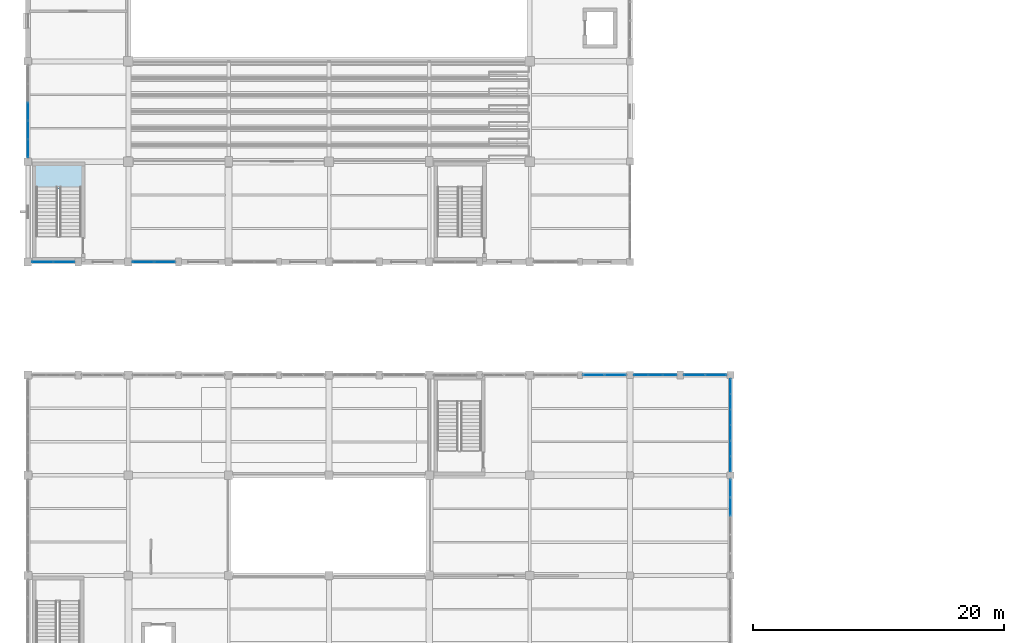
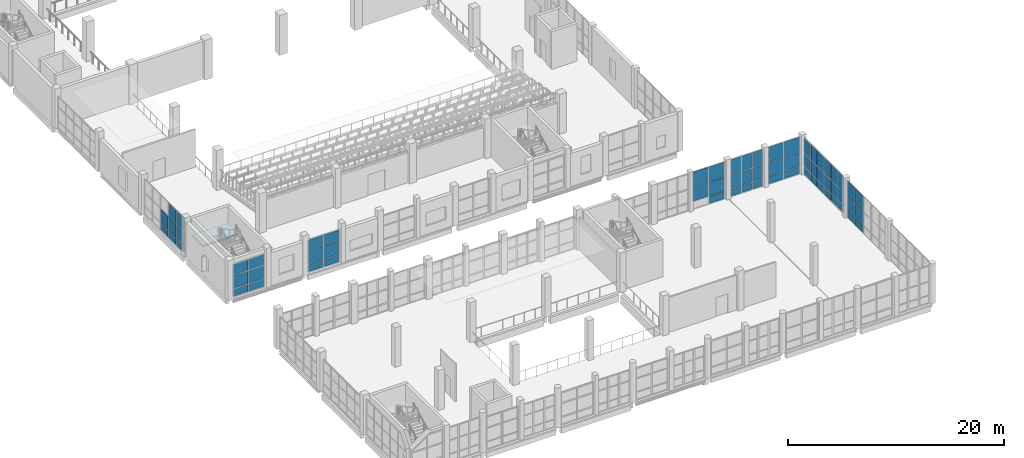
# One storey, part 119 of 183: 64 plates, 1 slab, 9 elements without a shape of their own.
"""IFC4 building model written with IfcOpenShell, lengths in metres."""

import ifcopenshell
import ifcopenshell.guid

model = None  # the IFC model being written
_history = None  # IfcOwnerHistory: only IFC2X3 demands one
_inside = {}  # id of a spatial element -> (the spatial element, [elements in it])
_under = {}  # id of a project, library or spatial element -> (it, [spatial elements below it])
_declared = {}  # id of a project -> (the project, [libraries it declares])
_typed = {}  # id of a type object -> (the type object, [elements of that type])
_made_of = {}  # id of a material, layer set ... -> (it, [elements and type objects made of it])


def new_model(schema):
    """Start an empty IFC model of exactly this schema.

    Asked for "IFC4X3", IfcOpenShell would pick the latest addendum, in which some entities
    have other attributes; the version numbers below select the first issue.
    IFC2X3 requires an IfcOwnerHistory on every rooted entity: one is made here for all.
    """
    global model, _history
    if schema == "IFC4X3":
        model = ifcopenshell.file(schema_version=(4, 3, 0, 0))
    else:
        model = ifcopenshell.file(schema=schema)
    _inside.clear()
    _under.clear()
    _declared.clear()
    _typed.clear()
    _made_of.clear()
    _history = None
    if model.schema == "IFC2X3":
        org = make("IfcOrganization", Name="unknown")
        user = make(
            "IfcPersonAndOrganization",
            ThePerson=make("IfcPerson", FamilyName="unknown"),
            TheOrganization=org,
        )
        app = make(
            "IfcApplication",
            ApplicationDeveloper=org,
            Version="unknown",
            ApplicationFullName="unknown",
            ApplicationIdentifier="unknown",
        )
        _history = make(
            "IfcOwnerHistory",
            OwningUser=user,
            OwningApplication=app,
            ChangeAction="ADDED",
            CreationDate=0,
        )
    return model


def make(cls, **values):
    """One entity of the class cls with the attributes given. An attribute that is None is left unset."""
    return model.create_entity(
        cls, **{name: value for name, value in values.items() if value is not None}
    )


def rooted(cls, **values):
    """An entity with a GlobalId (a new one), such as an element, a storey or a relation."""
    return make(cls, GlobalId=ifcopenshell.guid.new(), OwnerHistory=_history, **values)


def si_unit(unit_type, name, prefix=None):
    """IfcSIUnit, for example si_unit("LENGTHUNIT", "METRE", prefix="MILLI")."""
    return make("IfcSIUnit", UnitType=unit_type, Prefix=prefix, Name=name)


def assignment(units):
    """IfcUnitAssignment: the units of a project."""
    return None if units is None else make("IfcUnitAssignment", Units=units)


def point(xyz):
    """IfcCartesianPoint."""
    return None if xyz is None else make("IfcCartesianPoint", Coordinates=xyz)


def direction(xyz):
    """IfcDirection."""
    return None if xyz is None else make("IfcDirection", DirectionRatios=xyz)


def frame(location, z_axis=None, x_axis=None):
    """IfcAxis2Placement3D, a coordinate frame: its origin and axes. An axis left out is left unset."""
    return make(
        "IfcAxis2Placement3D",
        Location=point(location),
        Axis=direction(z_axis),
        RefDirection=direction(x_axis),
    )


def frame_2d(location, x_axis=None):
    """IfcAxis2Placement2D, a coordinate frame in the plane: its origin and x axis."""
    return make(
        "IfcAxis2Placement2D", Location=point(location), RefDirection=direction(x_axis)
    )


def origin():
    """The frame at (0, 0, 0) with its axes left unset."""
    return frame((0.0, 0.0, 0.0))


def origin_2d():
    """The frame at (0, 0) in the plane with its x axis left unset."""
    return frame_2d((0.0, 0.0))


def place(relative_to, where):
    """IfcLocalPlacement: puts the frame where relative to a parent placement (None: the world)."""
    return make(
        "IfcLocalPlacement", PlacementRelTo=relative_to, RelativePlacement=where
    )


def context(
    kind, dimensions, precision=None, world=None, true_north=None, identifier=None
):
    """IfcGeometricRepresentationContext, for example the 3D "Model" context."""
    return make(
        "IfcGeometricRepresentationContext",
        ContextIdentifier=identifier,
        ContextType=kind,
        CoordinateSpaceDimension=dimensions,
        Precision=precision,
        WorldCoordinateSystem=world,
        TrueNorth=true_north,
    )


def subcontext(parent, identifier, kind, view, scale=None):
    """IfcGeometricRepresentationSubContext, for example "Body" below "Model"."""
    return make(
        "IfcGeometricRepresentationSubContext",
        ContextIdentifier=identifier,
        ContextType=kind,
        ParentContext=parent,
        TargetScale=scale,
        TargetView=view,
    )


def project(units=None, contexts=None):
    """IfcProject with its units and contexts."""
    return rooted(
        "IfcProject",
        Name="project",
        RepresentationContexts=contexts,
        UnitsInContext=assignment(units),
    )


def spatial(cls, under=None, at=None, **own):
    """A site, building, storey or space (cls), placed at a placement, below another one or the project."""
    s = rooted(cls, ObjectPlacement=at, **own)
    if under is not None:
        _under.setdefault(under.id(), (under, []))[1].append(s)
    return s


def polyline(points):
    """IfcPolyline through the points."""
    return make("IfcPolyline", Points=[point(p) for p in points])


def profile(cls, at=None, kind="AREA", **sizes):
    """A parametric profile (cls). Its sizes go by their IFC names, for example OverallWidth=200.0."""
    return make(cls, ProfileType=kind, Position=at, **sizes)


def rectangle(**sizes):
    """IfcRectangleProfileDef."""
    return profile("IfcRectangleProfileDef", **sizes)


def outline(outer, holes=None, kind="AREA"):
    """IfcArbitraryClosedProfileDef: a profile drawn as a closed curve; with holes, ...WithVoids."""
    if holes is None:
        return make("IfcArbitraryClosedProfileDef", ProfileType=kind, OuterCurve=outer)
    return make(
        "IfcArbitraryProfileDefWithVoids",
        ProfileType=kind,
        OuterCurve=outer,
        InnerCurves=holes,
    )


def extrude(swept, where, along, depth):
    """IfcExtrudedAreaSolid: the profile swept, set in the frame where, extruded along a direction by depth."""
    return make(
        "IfcExtrudedAreaSolid",
        SweptArea=swept,
        Position=where,
        ExtrudedDirection=direction(along),
        Depth=depth,
    )


def shape(context_of_items, identifier, shape_type, items):
    """IfcShapeRepresentation: the items that make up one representation, for example the "Body"."""
    return make(
        "IfcShapeRepresentation",
        ContextOfItems=context_of_items,
        RepresentationIdentifier=identifier,
        RepresentationType=shape_type,
        Items=items,
    )


def material(Name=None, Category=None):
    """IfcMaterial."""
    return make("IfcMaterial", Name=Name, Category=Category)


def layer(
    of_material, thickness, ventilated=None, Name=None, Category=None, Priority=None
):
    """IfcMaterialLayer: one layer of a wall or slab, of a material (None: an air gap)."""
    return make(
        "IfcMaterialLayer",
        Material=of_material,
        LayerThickness=thickness,
        IsVentilated=ventilated,
        Name=Name,
        Category=Category,
        Priority=Priority,
    )


def layer_set(layers, Name=None):
    """IfcMaterialLayerSet."""
    return make("IfcMaterialLayerSet", MaterialLayers=layers, LayerSetName=Name)


def made_of(thing, what):
    """Note that an element or type object is made of a material, layer set ...; save() writes the relation."""
    if what is not None:
        _made_of.setdefault(what.id(), (what, []))[1].append(thing)
    return thing


def type_object(cls, material=None, **own):
    """A type object (cls), such as IfcWallType, which elements share."""
    return made_of(rooted(cls, **own), material)


def element(
    cls,
    number,
    at=None,
    inside=None,
    cuts=None,
    type_object=None,
    material=None,
    context=None,
    identifier="Body",
    shape_type=None,
    held_by="IfcProductDefinitionShape",
    body=None,
    shapes=None,
    **own,
):
    """One element of the class cls, such as IfcWall. Its Tag is "e" and its number.

    at: its placement. inside: the storey or other place that contains it. cuts: it is an
    opening in that element (IfcRelVoidsElement). A single representation is given by context,
    identifier, shape_type and body (its items); several are given by shapes. held_by: the class
    of the entity that holds the representations. save() writes the other relations.
    """
    e = rooted(cls, Tag="e%d" % number, ObjectPlacement=at, **own)
    if body is not None:
        shapes = [shape(context, identifier, shape_type, body)]
    if shapes is not None:
        e.Representation = make(held_by, Representations=shapes)
    if inside is not None:
        _inside.setdefault(inside.id(), (inside, []))[1].append(e)
    if cuts is not None:
        rooted(
            "IfcRelVoidsElement", RelatingBuildingElement=cuts, RelatedOpeningElement=e
        )
    if type_object is not None:
        _typed.setdefault(type_object.id(), (type_object, []))[1].append(e)
    return made_of(e, material)


def aggregate(whole, parts):
    """IfcRelAggregates: a whole, such as a stair, and the parts it consists of."""
    return rooted("IfcRelAggregates", RelatingObject=whole, RelatedObjects=parts)


def save(model, path):
    """Write the relations noted so far, then the file.

    IfcRelAggregates (storeys below a building ...), IfcRelContainedInSpatialStructure (elements
    in a storey), IfcRelDefinesByType, IfcRelAssociatesMaterial and IfcRelDeclares: one each for
    every whole, place, type object, material and project.
    """
    for whole, parts in _under.values():
        aggregate(whole, parts)
    for where, things in _inside.values():
        rooted(
            "IfcRelContainedInSpatialStructure",
            RelatedElements=things,
            RelatingStructure=where,
        )
    for kind, things in _typed.values():
        rooted("IfcRelDefinesByType", RelatedObjects=things, RelatingType=kind)
    for what, things in _made_of.values():
        rooted("IfcRelAssociatesMaterial", RelatedObjects=things, RelatingMaterial=what)
    for by, libraries in _declared.values():
        rooted("IfcRelDeclares", RelatingContext=by, RelatedDefinitions=libraries)
    model.write(path)


model = new_model("IFC4")

# Units and contexts
model_context = context("Model", 3, precision=1e-05, world=origin(), true_north=direction((0.0, 1.0)))
body_context = subcontext(model_context, "Body", "Model", "MODEL_VIEW")
ifc_project = project(units=[si_unit("LENGTHUNIT", "METRE"), si_unit("AREAUNIT", "SQUARE_METRE"), si_unit("VOLUMEUNIT", "CUBIC_METRE"), si_unit("PLANEANGLEUNIT", "RADIAN"), si_unit("MASSUNIT", "GRAM", prefix="KILO")], contexts=[model_context])

# Site, building, storey
site_placement = place(None, origin())
site = spatial("IfcSite", under=ifc_project, at=site_placement, CompositionType="ELEMENT")
building_placement = place(site_placement, origin())
building = spatial("IfcBuilding", under=site, at=building_placement, Name="Luwemba Playhouse", CompositionType="ELEMENT")
storey_placement = place(building_placement, frame((0.0, 0.0, 4.800048828125)))
storey = spatial("IfcBuildingStorey", under=building, at=storey_placement, Name="L01", CompositionType="ELEMENT", Elevation=4.800048828125)

# Curtain wall, plates
ifc_material_1 = material(Name="Solar-control double glazing", Category="glass")
curtain_wall_type_1 = type_object("IfcCurtainWallType", Name="CW-CW103", PredefinedType="USERDEFINED", material=ifc_material_1)
curtain_wall_1_placement = place(storey_placement, origin())
curtain_wall_1 = element("IfcCurtainWall", 1, at=curtain_wall_1_placement, inside=storey, type_object=curtain_wall_type_1, Name="L01 V5W unitised curtain wall 134", ObjectType="UNITISED GLAZING", PredefinedType="USERDEFINED")
ifc_layer_1 = layer(ifc_material_1, 0.02392578125)
ifc_layer_set_1 = layer_set([ifc_layer_1], Name="Solar-control double glazing")
plate_type_1 = type_object("IfcPlateType", Name="CWP-P1", PredefinedType="CURTAIN_PANEL", material=ifc_layer_set_1)
plate_1_placement = place(storey_placement, frame((52.869140625, 27.0, 0.059814453125), z_axis=(0.0, 0.0, 1.0), x_axis=(1.0, 0.0, 0.0)))
plate_1 = element("IfcPlate", 2, at=plate_1_placement, type_object=plate_type_1, Name="CW103 panel 1.1", PredefinedType="CURTAIN_PANEL", context=body_context, shape_type="SweptSolid", body=[
    extrude(rectangle(XDim=1.068359375, YDim=0.02392578125, at=origin_2d()), origin(), (0.0, 0.0, 1.0), 0.81005859375),
])
plate_2_placement = place(storey_placement, frame((52.869140625, 27.0, 0.93017578125), z_axis=(0.0, 0.0, 1.0), x_axis=(1.0, 0.0, 0.0)))
plate_2 = element("IfcPlate", 3, at=plate_2_placement, type_object=plate_type_1, Name="CW103 panel 1.2", PredefinedType="CURTAIN_PANEL", context=body_context, shape_type="SweptSolid", body=[
    extrude(rectangle(XDim=1.068359375, YDim=0.02392578125, at=origin_2d()), origin(), (0.0, 0.0, 1.0), 1.489990234375),
])
plate_3_placement = place(storey_placement, frame((52.869140625, 27.0, 2.47998046875), z_axis=(0.0, 0.0, 1.0), x_axis=(1.0, 0.0, 0.0)))
plate_3 = element("IfcPlate", 4, at=plate_3_placement, type_object=plate_type_1, Name="CW103 panel 1.3", PredefinedType="CURTAIN_PANEL", context=body_context, shape_type="SweptSolid", body=[
    extrude(rectangle(XDim=1.068359375, YDim=0.02392578125, at=origin_2d()), origin(), (0.0, 0.0, 1.0), 1.7099609375),
])
plate_4_placement = place(storey_placement, frame((54.012451171875, 27.0, 0.059814453125), z_axis=(0.0, 0.0, 1.0), x_axis=(1.0, 0.0, 0.0)))
plate_4 = element("IfcPlate", 5, at=plate_4_placement, type_object=plate_type_1, Name="CW103 panel 2.1", PredefinedType="CURTAIN_PANEL", context=body_context, shape_type="SweptSolid", body=[
    extrude(rectangle(XDim=1.098388671875, YDim=0.02392578125, at=origin_2d()), origin(), (0.0, 0.0, 1.0), 0.81005859375),
])
plate_5_placement = place(storey_placement, frame((54.012451171875, 27.0, 0.93017578125), z_axis=(0.0, 0.0, 1.0), x_axis=(1.0, 0.0, 0.0)))
plate_5 = element("IfcPlate", 6, at=plate_5_placement, type_object=plate_type_1, Name="CW103 panel 2.2", PredefinedType="CURTAIN_PANEL", context=body_context, shape_type="SweptSolid", body=[
    extrude(rectangle(XDim=1.098388671875, YDim=0.02392578125, at=origin_2d()), origin(), (0.0, 0.0, 1.0), 1.489990234375),
])
plate_6_placement = place(storey_placement, frame((54.012451171875, 27.0, 2.47998046875), z_axis=(0.0, 0.0, 1.0), x_axis=(1.0, 0.0, 0.0)))
plate_6 = element("IfcPlate", 7, at=plate_6_placement, type_object=plate_type_1, Name="CW103 panel 2.3", PredefinedType="CURTAIN_PANEL", context=body_context, shape_type="SweptSolid", body=[
    extrude(rectangle(XDim=1.098388671875, YDim=0.02392578125, at=origin_2d()), origin(), (0.0, 0.0, 1.0), 1.7099609375),
])
plate_7_placement = place(storey_placement, frame((55.15576171875, 27.0, 0.059814453125), z_axis=(0.0, 0.0, 1.0), x_axis=(1.0, 0.0, 0.0)))
plate_7 = element("IfcPlate", 8, at=plate_7_placement, type_object=plate_type_1, Name="CW103 panel 3.1", PredefinedType="CURTAIN_PANEL", context=body_context, shape_type="SweptSolid", body=[
    extrude(rectangle(XDim=1.068359375, YDim=0.02392578125, at=origin_2d()), origin(), (0.0, 0.0, 1.0), 0.81005859375),
])
plate_8_placement = place(storey_placement, frame((55.15576171875, 27.0, 0.93017578125), z_axis=(0.0, 0.0, 1.0), x_axis=(1.0, 0.0, 0.0)))
plate_8 = element("IfcPlate", 9, at=plate_8_placement, type_object=plate_type_1, Name="CW103 panel 3.2", PredefinedType="CURTAIN_PANEL", context=body_context, shape_type="SweptSolid", body=[
    extrude(rectangle(XDim=1.068359375, YDim=0.02392578125, at=origin_2d()), origin(), (0.0, 0.0, 1.0), 1.489990234375),
])
plate_9_placement = place(storey_placement, frame((55.15576171875, 27.0, 2.47998046875), z_axis=(0.0, 0.0, 1.0), x_axis=(1.0, 0.0, 0.0)))
plate_9 = element("IfcPlate", 10, at=plate_9_placement, type_object=plate_type_1, Name="CW103 panel 3.3", PredefinedType="CURTAIN_PANEL", context=body_context, shape_type="SweptSolid", body=[
    extrude(rectangle(XDim=1.068359375, YDim=0.02392578125, at=origin_2d()), origin(), (0.0, 0.0, 1.0), 1.7099609375),
])
aggregate(curtain_wall_1, [plate_1, plate_2, plate_3, plate_4, plate_5, plate_6, plate_7, plate_8, plate_9])

curtain_wall_type_2 = type_object("IfcCurtainWallType", Name="CW-CW71", PredefinedType="USERDEFINED", material=ifc_material_1)
curtain_wall_2_placement = place(storey_placement, origin())
curtain_wall_2 = element("IfcCurtainWall", 11, at=curtain_wall_2_placement, inside=storey, type_object=curtain_wall_type_2, Name="L01 V1 unitised curtain wall 095", ObjectType="UNITISED GLAZING", PredefinedType="USERDEFINED")
ifc_layer_2 = layer(ifc_material_1, 0.028076171875)
ifc_layer_set_2 = layer_set([ifc_layer_2], Name="Solar-control double glazing")
plate_type_2 = type_object("IfcPlateType", Name="CWP-P2", PredefinedType="CURTAIN_PANEL", material=ifc_layer_set_2)
plate_10_placement = place(storey_placement, frame((4.0, 45.05615234375, 0.054931640625), z_axis=(0.0, 0.0, 1.0), x_axis=(0.0, 1.0, 0.0)))
plate_10 = element("IfcPlate", 12, at=plate_10_placement, type_object=plate_type_2, Name="CW71 panel 1.1", PredefinedType="CURTAIN_PANEL", context=body_context, shape_type="SweptSolid", body=[
    extrude(rectangle(XDim=1.382568359375, YDim=0.028076171875, at=origin_2d()), origin(), (0.0, 0.0, 1.0), 0.8173828125),
])
plate_11_placement = place(storey_placement, frame((4.0, 45.05615234375, 0.927490234375), z_axis=(0.0, 0.0, 1.0), x_axis=(0.0, 1.0, 0.0)))
plate_11 = element("IfcPlate", 13, at=plate_11_placement, type_object=plate_type_2, Name="CW71 panel 1.2", PredefinedType="CURTAIN_PANEL", context=body_context, shape_type="SweptSolid", body=[
    extrude(rectangle(XDim=1.382568359375, YDim=0.028076171875, at=origin_2d()), origin(), (0.0, 0.0, 1.0), 1.4951171875),
])
plate_12_placement = place(storey_placement, frame((4.0, 45.05615234375, 2.4775390625), z_axis=(0.0, 0.0, 1.0), x_axis=(0.0, 1.0, 0.0)))
plate_12 = element("IfcPlate", 14, at=plate_12_placement, type_object=plate_type_2, Name="CW71 panel 1.3", PredefinedType="CURTAIN_PANEL", context=body_context, shape_type="SweptSolid", body=[
    extrude(rectangle(XDim=1.382568359375, YDim=0.028076171875, at=origin_2d()), origin(), (0.0, 0.0, 1.0), 1.50244140625),
])
plate_13_placement = place(storey_placement, frame((4.0, 46.52001953125, 0.054931640625), z_axis=(0.0, 0.0, 1.0), x_axis=(0.0, 1.0, 0.0)))
plate_13 = element("IfcPlate", 15, at=plate_13_placement, type_object=plate_type_2, Name="CW71 panel 2.1", PredefinedType="CURTAIN_PANEL", context=body_context, shape_type="SweptSolid", body=[
    extrude(rectangle(XDim=1.4150390625, YDim=0.028076171875, at=origin_2d()), origin(), (0.0, 0.0, 1.0), 0.8173828125),
])
plate_14_placement = place(storey_placement, frame((4.0, 46.52001953125, 0.927490234375), z_axis=(0.0, 0.0, 1.0), x_axis=(0.0, 1.0, 0.0)))
plate_14 = element("IfcPlate", 16, at=plate_14_placement, type_object=plate_type_2, Name="CW71 panel 2.2", PredefinedType="CURTAIN_PANEL", context=body_context, shape_type="SweptSolid", body=[
    extrude(rectangle(XDim=1.4150390625, YDim=0.028076171875, at=origin_2d()), origin(), (0.0, 0.0, 1.0), 1.4951171875),
])
plate_15_placement = place(storey_placement, frame((4.0, 46.52001953125, 2.4775390625), z_axis=(0.0, 0.0, 1.0), x_axis=(0.0, 1.0, 0.0)))
plate_15 = element("IfcPlate", 17, at=plate_15_placement, type_object=plate_type_2, Name="CW71 panel 2.3", PredefinedType="CURTAIN_PANEL", context=body_context, shape_type="SweptSolid", body=[
    extrude(rectangle(XDim=1.4150390625, YDim=0.028076171875, at=origin_2d()), origin(), (0.0, 0.0, 1.0), 1.50244140625),
])
plate_16_placement = place(storey_placement, frame((4.0, 48.0, 0.054931640625), z_axis=(0.0, 0.0, 1.0), x_axis=(0.0, 1.0, 0.0)))
plate_16 = element("IfcPlate", 18, at=plate_16_placement, type_object=plate_type_2, Name="CW71 panel 3.1", PredefinedType="CURTAIN_PANEL", context=body_context, shape_type="SweptSolid", body=[
    extrude(rectangle(XDim=1.4150390625, YDim=0.028076171875, at=origin_2d()), origin(), (0.0, 0.0, 1.0), 0.8173828125),
])
plate_17_placement = place(storey_placement, frame((4.0, 48.0, 0.927490234375), z_axis=(0.0, 0.0, 1.0), x_axis=(0.0, 1.0, 0.0)))
plate_17 = element("IfcPlate", 19, at=plate_17_placement, type_object=plate_type_2, Name="CW71 panel 3.2", PredefinedType="CURTAIN_PANEL", context=body_context, shape_type="SweptSolid", body=[
    extrude(rectangle(XDim=1.4150390625, YDim=0.028076171875, at=origin_2d()), origin(), (0.0, 0.0, 1.0), 1.4951171875),
])
aggregate(curtain_wall_2, [plate_10, plate_11, plate_12, plate_13, plate_14, plate_15, plate_16, plate_17])

curtain_wall_type_3 = type_object("IfcCurtainWallType", Name="CW-CW78", PredefinedType="USERDEFINED", material=ifc_material_1)
curtain_wall_3_placement = place(storey_placement, origin())
curtain_wall_3 = element("IfcCurtainWall", 20, at=curtain_wall_3_placement, inside=storey, type_object=curtain_wall_type_3, Name="L01 V1 unitised curtain wall 103", ObjectType="UNITISED GLAZING", PredefinedType="USERDEFINED")
plate_18_placement = place(storey_placement, frame((14.889892578125, 36.0, 0.054931640625), z_axis=(0.0, 0.0, 1.0), x_axis=(-1.0, 0.0, 0.0)))
plate_18 = element("IfcPlate", 21, at=plate_18_placement, type_object=plate_type_2, Name="CW78 panel 1.1", PredefinedType="CURTAIN_PANEL", context=body_context, shape_type="SweptSolid", body=[
    extrude(rectangle(XDim=1.639892578125, YDim=0.028076171875, at=origin_2d()), origin(), (0.0, 0.0, 1.0), 0.8173828125),
])
plate_19_placement = place(storey_placement, frame((14.889892578125, 36.0, 0.927490234375), z_axis=(0.0, 0.0, 1.0), x_axis=(-1.0, 0.0, 0.0)))
plate_19 = element("IfcPlate", 22, at=plate_19_placement, type_object=plate_type_2, Name="CW78 panel 1.2", PredefinedType="CURTAIN_PANEL", context=body_context, shape_type="SweptSolid", body=[
    extrude(rectangle(XDim=1.639892578125, YDim=0.028076171875, at=origin_2d()), origin(), (0.0, 0.0, 1.0), 1.4951171875),
])
plate_20_placement = place(storey_placement, frame((14.889892578125, 36.0, 2.4775390625), z_axis=(0.0, 0.0, 1.0), x_axis=(-1.0, 0.0, 0.0)))
plate_20 = element("IfcPlate", 23, at=plate_20_placement, type_object=plate_type_2, Name="CW78 panel 1.3", PredefinedType="CURTAIN_PANEL", context=body_context, shape_type="SweptSolid", body=[
    extrude(rectangle(XDim=1.639892578125, YDim=0.028076171875, at=origin_2d()), origin(), (0.0, 0.0, 1.0), 1.152587890625),
])
plate_21_placement = place(storey_placement, frame((13.18505859375, 36.0, 0.054931640625), z_axis=(0.0, 0.0, 1.0), x_axis=(-1.0, 0.0, 0.0)))
plate_21 = element("IfcPlate", 24, at=plate_21_placement, type_object=plate_type_2, Name="CW78 panel 2.1", PredefinedType="CURTAIN_PANEL", context=body_context, shape_type="SweptSolid", body=[
    extrude(rectangle(XDim=1.639892578125, YDim=0.028076171875, at=origin_2d()), origin(), (0.0, 0.0, 1.0), 0.8173828125),
])
plate_22_placement = place(storey_placement, frame((13.18505859375, 36.0, 0.927490234375), z_axis=(0.0, 0.0, 1.0), x_axis=(-1.0, 0.0, 0.0)))
plate_22 = element("IfcPlate", 25, at=plate_22_placement, type_object=plate_type_2, Name="CW78 panel 2.2", PredefinedType="CURTAIN_PANEL", context=body_context, shape_type="SweptSolid", body=[
    extrude(rectangle(XDim=1.639892578125, YDim=0.028076171875, at=origin_2d()), origin(), (0.0, 0.0, 1.0), 1.4951171875),
])
plate_23_placement = place(storey_placement, frame((13.18505859375, 36.0, 2.4775390625), z_axis=(0.0, 0.0, 1.0), x_axis=(-1.0, 0.0, 0.0)))
plate_23 = element("IfcPlate", 26, at=plate_23_placement, type_object=plate_type_2, Name="CW78 panel 2.3", PredefinedType="CURTAIN_PANEL", context=body_context, shape_type="SweptSolid", body=[
    extrude(rectangle(XDim=1.639892578125, YDim=0.028076171875, at=origin_2d()), origin(), (0.0, 0.0, 1.0), 1.152587890625),
])
aggregate(curtain_wall_3, [plate_18, plate_19, plate_20, plate_21, plate_22, plate_23])

curtain_wall_type_4 = type_object("IfcCurtainWallType", Name="CW-CW104", PredefinedType="USERDEFINED", material=ifc_material_1)
curtain_wall_4_placement = place(storey_placement, origin())
curtain_wall_4 = element("IfcCurtainWall", 27, at=curtain_wall_4_placement, inside=storey, type_object=curtain_wall_type_4, Name="L01 V5W unitised curtain wall 135", ObjectType="UNITISED GLAZING", PredefinedType="USERDEFINED")
plate_24_placement = place(storey_placement, frame((57.135009765625, 27.0, 0.054931640625), z_axis=(0.0, 0.0, 1.0), x_axis=(1.0, 0.0, 0.0)))
plate_24 = element("IfcPlate", 28, at=plate_24_placement, type_object=plate_type_2, Name="CW104 panel 1.1", PredefinedType="CURTAIN_PANEL", context=body_context, shape_type="SweptSolid", body=[
    extrude(rectangle(XDim=1.639892578125, YDim=0.028076171875, at=origin_2d()), origin(), (0.0, 0.0, 1.0), 0.8173828125),
])
plate_25_placement = place(storey_placement, frame((57.135009765625, 27.0, 0.927490234375), z_axis=(0.0, 0.0, 1.0), x_axis=(1.0, 0.0, 0.0)))
plate_25 = element("IfcPlate", 29, at=plate_25_placement, type_object=plate_type_2, Name="CW104 panel 1.2", PredefinedType="CURTAIN_PANEL", context=body_context, shape_type="SweptSolid", body=[
    extrude(rectangle(XDim=1.639892578125, YDim=0.028076171875, at=origin_2d()), origin(), (0.0, 0.0, 1.0), 1.4951171875),
])
plate_26_placement = place(storey_placement, frame((57.135009765625, 27.0, 2.4775390625), z_axis=(0.0, 0.0, 1.0), x_axis=(1.0, 0.0, 0.0)))
plate_26 = element("IfcPlate", 30, at=plate_26_placement, type_object=plate_type_2, Name="CW104 panel 1.3", PredefinedType="CURTAIN_PANEL", context=body_context, shape_type="SweptSolid", body=[
    extrude(rectangle(XDim=1.639892578125, YDim=0.028076171875, at=origin_2d()), origin(), (0.0, 0.0, 1.0), 1.717529296875),
])
plate_27_placement = place(storey_placement, frame((58.840087890625, 27.0, 0.054931640625), z_axis=(0.0, 0.0, 1.0), x_axis=(1.0, 0.0, 0.0)))
plate_27 = element("IfcPlate", 31, at=plate_27_placement, type_object=plate_type_2, Name="CW104 panel 2.1", PredefinedType="CURTAIN_PANEL", context=body_context, shape_type="SweptSolid", body=[
    extrude(rectangle(XDim=1.639892578125, YDim=0.028076171875, at=origin_2d()), origin(), (0.0, 0.0, 1.0), 0.8173828125),
])
plate_28_placement = place(storey_placement, frame((58.840087890625, 27.0, 0.927490234375), z_axis=(0.0, 0.0, 1.0), x_axis=(1.0, 0.0, 0.0)))
plate_28 = element("IfcPlate", 32, at=plate_28_placement, type_object=plate_type_2, Name="CW104 panel 2.2", PredefinedType="CURTAIN_PANEL", context=body_context, shape_type="SweptSolid", body=[
    extrude(rectangle(XDim=1.639892578125, YDim=0.028076171875, at=origin_2d()), origin(), (0.0, 0.0, 1.0), 1.4951171875),
])
plate_29_placement = place(storey_placement, frame((58.840087890625, 27.0, 2.4775390625), z_axis=(0.0, 0.0, 1.0), x_axis=(1.0, 0.0, 0.0)))
plate_29 = element("IfcPlate", 33, at=plate_29_placement, type_object=plate_type_2, Name="CW104 panel 2.3", PredefinedType="CURTAIN_PANEL", context=body_context, shape_type="SweptSolid", body=[
    extrude(rectangle(XDim=1.639892578125, YDim=0.028076171875, at=origin_2d()), origin(), (0.0, 0.0, 1.0), 1.717529296875),
])
aggregate(curtain_wall_4, [plate_24, plate_25, plate_26, plate_27, plate_28, plate_29])

curtain_wall_type_5 = type_object("IfcCurtainWallType", Name="CW-CW79", PredefinedType="USERDEFINED", material=ifc_material_1)
curtain_wall_5_placement = place(storey_placement, origin())
curtain_wall_5 = element("IfcCurtainWall", 34, at=curtain_wall_5_placement, inside=storey, type_object=curtain_wall_type_5, Name="L01 V1 unitised curtain wall 104", ObjectType="UNITISED GLAZING", PredefinedType="USERDEFINED")
ifc_layer_3 = layer(ifc_material_1, 0.031982421875)
ifc_layer_set_3 = layer_set([ifc_layer_3], Name="Solar-control double glazing")
plate_type_3 = type_object("IfcPlateType", Name="CWP-P3", PredefinedType="CURTAIN_PANEL", material=ifc_layer_set_3)
plate_30_placement = place(storey_placement, frame((6.873779296875, 36.0, 0.06494140625), z_axis=(0.0, 0.0, 1.0), x_axis=(-1.0, 0.0, 0.0)))
plate_30 = element("IfcPlate", 35, at=plate_30_placement, type_object=plate_type_3, Name="CW79 panel 1.1", PredefinedType="CURTAIN_PANEL", context=body_context, shape_type="SweptSolid", body=[
    extrude(rectangle(XDim=1.642578125, YDim=0.031982421875, at=origin_2d()), origin(), (0.0, 0.0, 1.0), 0.802490234375),
])
plate_31_placement = place(storey_placement, frame((6.873779296875, 36.0, 0.9326171875), z_axis=(0.0, 0.0, 1.0), x_axis=(-1.0, 0.0, 0.0)))
plate_31 = element("IfcPlate", 36, at=plate_31_placement, type_object=plate_type_3, Name="CW79 panel 1.2", PredefinedType="CURTAIN_PANEL", context=body_context, shape_type="SweptSolid", body=[
    extrude(rectangle(XDim=1.642578125, YDim=0.031982421875, at=origin_2d()), origin(), (0.0, 0.0, 1.0), 1.485107421875),
])
plate_32_placement = place(storey_placement, frame((6.873779296875, 36.0, 2.482421875), z_axis=(0.0, 0.0, 1.0), x_axis=(-1.0, 0.0, 0.0)))
plate_32 = element("IfcPlate", 37, at=plate_32_placement, type_object=plate_type_3, Name="CW79 panel 1.3", PredefinedType="CURTAIN_PANEL", context=body_context, shape_type="SweptSolid", body=[
    extrude(rectangle(XDim=1.642578125, YDim=0.031982421875, at=origin_2d()), origin(), (0.0, 0.0, 1.0), 1.1875),
])
plate_33_placement = place(storey_placement, frame((5.17626953125, 36.0, 0.06494140625), z_axis=(0.0, 0.0, 1.0), x_axis=(-1.0, 0.0, 0.0)))
plate_33 = element("IfcPlate", 38, at=plate_33_placement, type_object=plate_type_3, Name="CW79 panel 2.1", PredefinedType="CURTAIN_PANEL", context=body_context, shape_type="SweptSolid", body=[
    extrude(rectangle(XDim=1.642578125, YDim=0.031982421875, at=origin_2d()), origin(), (0.0, 0.0, 1.0), 0.802490234375),
])
plate_34_placement = place(storey_placement, frame((5.17626953125, 36.0, 0.9326171875), z_axis=(0.0, 0.0, 1.0), x_axis=(-1.0, 0.0, 0.0)))
plate_34 = element("IfcPlate", 39, at=plate_34_placement, type_object=plate_type_3, Name="CW79 panel 2.2", PredefinedType="CURTAIN_PANEL", context=body_context, shape_type="SweptSolid", body=[
    extrude(rectangle(XDim=1.642578125, YDim=0.031982421875, at=origin_2d()), origin(), (0.0, 0.0, 1.0), 1.485107421875),
])
plate_35_placement = place(storey_placement, frame((5.17626953125, 36.0, 2.482421875), z_axis=(0.0, 0.0, 1.0), x_axis=(-1.0, 0.0, 0.0)))
plate_35 = element("IfcPlate", 40, at=plate_35_placement, type_object=plate_type_3, Name="CW79 panel 2.3", PredefinedType="CURTAIN_PANEL", context=body_context, shape_type="SweptSolid", body=[
    extrude(rectangle(XDim=1.642578125, YDim=0.031982421875, at=origin_2d()), origin(), (0.0, 0.0, 1.0), 1.1875),
])
aggregate(curtain_wall_5, [plate_30, plate_31, plate_32, plate_33, plate_34, plate_35])

curtain_wall_type_6 = type_object("IfcCurtainWallType", Name="CW-CW105", PredefinedType="USERDEFINED", material=ifc_material_1)
curtain_wall_6_placement = place(storey_placement, origin())
curtain_wall_6 = element("IfcCurtainWall", 41, at=curtain_wall_6_placement, inside=storey, type_object=curtain_wall_type_6, Name="L01 V5W unitised curtain wall 136", ObjectType="UNITISED GLAZING", PredefinedType="USERDEFINED")
plate_36_placement = place(storey_placement, frame((60.0, 26.09033203125, 0.06494140625), z_axis=(0.0, 0.0, 1.0), x_axis=(0.0, -1.0, 0.0)))
plate_36 = element("IfcPlate", 42, at=plate_36_placement, type_object=plate_type_3, Name="CW105 panel 1.1", PredefinedType="CURTAIN_PANEL", context=body_context, shape_type="SweptSolid", body=[
    extrude(rectangle(XDim=1.1591796875, YDim=0.031982421875, at=origin_2d()), origin(), (0.0, 0.0, 1.0), 0.802490234375),
])
plate_37_placement = place(storey_placement, frame((60.0, 26.09033203125, 0.9326171875), z_axis=(0.0, 0.0, 1.0), x_axis=(0.0, -1.0, 0.0)))
plate_37 = element("IfcPlate", 43, at=plate_37_placement, type_object=plate_type_3, Name="CW105 panel 1.2", PredefinedType="CURTAIN_PANEL", context=body_context, shape_type="SweptSolid", body=[
    extrude(rectangle(XDim=1.1591796875, YDim=0.031982421875, at=origin_2d()), origin(), (0.0, 0.0, 1.0), 1.485107421875),
])
plate_38_placement = place(storey_placement, frame((60.0, 26.09033203125, 2.482421875), z_axis=(0.0, 0.0, 1.0), x_axis=(0.0, -1.0, 0.0)))
plate_38 = element("IfcPlate", 44, at=plate_38_placement, type_object=plate_type_3, Name="CW105 panel 1.3", PredefinedType="CURTAIN_PANEL", context=body_context, shape_type="SweptSolid", body=[
    extrude(rectangle(XDim=1.1591796875, YDim=0.031982421875, at=origin_2d()), origin(), (0.0, 0.0, 1.0), 1.702392578125),
])
plate_39_placement = place(storey_placement, frame((60.0, 24.862548828125, 0.06494140625), z_axis=(0.0, 0.0, 1.0), x_axis=(0.0, -1.0, 0.0)))
plate_39 = element("IfcPlate", 45, at=plate_39_placement, type_object=plate_type_3, Name="CW105 panel 2.1", PredefinedType="CURTAIN_PANEL", context=body_context, shape_type="SweptSolid", body=[
    extrude(rectangle(XDim=1.186767578125, YDim=0.031982421875, at=origin_2d()), origin(), (0.0, 0.0, 1.0), 0.802490234375),
])
plate_40_placement = place(storey_placement, frame((60.0, 24.862548828125, 0.9326171875), z_axis=(0.0, 0.0, 1.0), x_axis=(0.0, -1.0, 0.0)))
plate_40 = element("IfcPlate", 46, at=plate_40_placement, type_object=plate_type_3, Name="CW105 panel 2.2", PredefinedType="CURTAIN_PANEL", context=body_context, shape_type="SweptSolid", body=[
    extrude(rectangle(XDim=1.186767578125, YDim=0.031982421875, at=origin_2d()), origin(), (0.0, 0.0, 1.0), 1.485107421875),
])
plate_41_placement = place(storey_placement, frame((60.0, 24.862548828125, 2.482421875), z_axis=(0.0, 0.0, 1.0), x_axis=(0.0, -1.0, 0.0)))
plate_41 = element("IfcPlate", 47, at=plate_41_placement, type_object=plate_type_3, Name="CW105 panel 2.3", PredefinedType="CURTAIN_PANEL", context=body_context, shape_type="SweptSolid", body=[
    extrude(rectangle(XDim=1.186767578125, YDim=0.031982421875, at=origin_2d()), origin(), (0.0, 0.0, 1.0), 1.702392578125),
])
plate_42_placement = place(storey_placement, frame((60.0, 23.620849609375, 0.06494140625), z_axis=(0.0, 0.0, 1.0), x_axis=(0.0, -1.0, 0.0)))
plate_42 = element("IfcPlate", 48, at=plate_42_placement, type_object=plate_type_3, Name="CW105 panel 3.1", PredefinedType="CURTAIN_PANEL", context=body_context, shape_type="SweptSolid", body=[
    extrude(rectangle(XDim=1.186767578125, YDim=0.031982421875, at=origin_2d()), origin(), (0.0, 0.0, 1.0), 0.802490234375),
])
plate_43_placement = place(storey_placement, frame((60.0, 23.620849609375, 0.9326171875), z_axis=(0.0, 0.0, 1.0), x_axis=(0.0, -1.0, 0.0)))
plate_43 = element("IfcPlate", 49, at=plate_43_placement, type_object=plate_type_3, Name="CW105 panel 3.2", PredefinedType="CURTAIN_PANEL", context=body_context, shape_type="SweptSolid", body=[
    extrude(rectangle(XDim=1.186767578125, YDim=0.031982421875, at=origin_2d()), origin(), (0.0, 0.0, 1.0), 1.485107421875),
])
plate_44_placement = place(storey_placement, frame((60.0, 23.620849609375, 2.482421875), z_axis=(0.0, 0.0, 1.0), x_axis=(0.0, -1.0, 0.0)))
plate_44 = element("IfcPlate", 50, at=plate_44_placement, type_object=plate_type_3, Name="CW105 panel 3.3", PredefinedType="CURTAIN_PANEL", context=body_context, shape_type="SweptSolid", body=[
    extrude(rectangle(XDim=1.186767578125, YDim=0.031982421875, at=origin_2d()), origin(), (0.0, 0.0, 1.0), 1.702392578125),
])
plate_45_placement = place(storey_placement, frame((60.0, 22.379150390625, 0.06494140625), z_axis=(0.0, 0.0, 1.0), x_axis=(0.0, -1.0, 0.0)))
plate_45 = element("IfcPlate", 51, at=plate_45_placement, type_object=plate_type_3, Name="CW105 panel 4.1", PredefinedType="CURTAIN_PANEL", context=body_context, shape_type="SweptSolid", body=[
    extrude(rectangle(XDim=1.186767578125, YDim=0.031982421875, at=origin_2d()), origin(), (0.0, 0.0, 1.0), 0.802490234375),
])
plate_46_placement = place(storey_placement, frame((60.0, 22.379150390625, 0.9326171875), z_axis=(0.0, 0.0, 1.0), x_axis=(0.0, -1.0, 0.0)))
plate_46 = element("IfcPlate", 52, at=plate_46_placement, type_object=plate_type_3, Name="CW105 panel 4.2", PredefinedType="CURTAIN_PANEL", context=body_context, shape_type="SweptSolid", body=[
    extrude(rectangle(XDim=1.186767578125, YDim=0.031982421875, at=origin_2d()), origin(), (0.0, 0.0, 1.0), 1.485107421875),
])
plate_47_placement = place(storey_placement, frame((60.0, 22.379150390625, 2.482421875), z_axis=(0.0, 0.0, 1.0), x_axis=(0.0, -1.0, 0.0)))
plate_47 = element("IfcPlate", 53, at=plate_47_placement, type_object=plate_type_3, Name="CW105 panel 4.3", PredefinedType="CURTAIN_PANEL", context=body_context, shape_type="SweptSolid", body=[
    extrude(rectangle(XDim=1.186767578125, YDim=0.031982421875, at=origin_2d()), origin(), (0.0, 0.0, 1.0), 1.702392578125),
])
plate_48_placement = place(storey_placement, frame((60.0, 21.137451171875, 0.06494140625), z_axis=(0.0, 0.0, 1.0), x_axis=(0.0, -1.0, 0.0)))
plate_48 = element("IfcPlate", 54, at=plate_48_placement, type_object=plate_type_3, Name="CW105 panel 5.1", PredefinedType="CURTAIN_PANEL", context=body_context, shape_type="SweptSolid", body=[
    extrude(rectangle(XDim=1.186767578125, YDim=0.031982421875, at=origin_2d()), origin(), (0.0, 0.0, 1.0), 0.802490234375),
])
plate_49_placement = place(storey_placement, frame((60.0, 21.137451171875, 0.9326171875), z_axis=(0.0, 0.0, 1.0), x_axis=(0.0, -1.0, 0.0)))
plate_49 = element("IfcPlate", 55, at=plate_49_placement, type_object=plate_type_3, Name="CW105 panel 5.2", PredefinedType="CURTAIN_PANEL", context=body_context, shape_type="SweptSolid", body=[
    extrude(rectangle(XDim=1.186767578125, YDim=0.031982421875, at=origin_2d()), origin(), (0.0, 0.0, 1.0), 1.485107421875),
])
plate_50_placement = place(storey_placement, frame((60.0, 21.137451171875, 2.482421875), z_axis=(0.0, 0.0, 1.0), x_axis=(0.0, -1.0, 0.0)))
plate_50 = element("IfcPlate", 56, at=plate_50_placement, type_object=plate_type_3, Name="CW105 panel 5.3", PredefinedType="CURTAIN_PANEL", context=body_context, shape_type="SweptSolid", body=[
    extrude(rectangle(XDim=1.186767578125, YDim=0.031982421875, at=origin_2d()), origin(), (0.0, 0.0, 1.0), 1.702392578125),
])
plate_51_placement = place(storey_placement, frame((60.0, 19.90966796875, 0.06494140625), z_axis=(0.0, 0.0, 1.0), x_axis=(0.0, -1.0, 0.0)))
plate_51 = element("IfcPlate", 57, at=plate_51_placement, type_object=plate_type_3, Name="CW105 panel 6.1", PredefinedType="CURTAIN_PANEL", context=body_context, shape_type="SweptSolid", body=[
    extrude(rectangle(XDim=1.1591796875, YDim=0.031982421875, at=origin_2d()), origin(), (0.0, 0.0, 1.0), 0.802490234375),
])
plate_52_placement = place(storey_placement, frame((60.0, 19.90966796875, 0.9326171875), z_axis=(0.0, 0.0, 1.0), x_axis=(0.0, -1.0, 0.0)))
plate_52 = element("IfcPlate", 58, at=plate_52_placement, type_object=plate_type_3, Name="CW105 panel 6.2", PredefinedType="CURTAIN_PANEL", context=body_context, shape_type="SweptSolid", body=[
    extrude(rectangle(XDim=1.1591796875, YDim=0.031982421875, at=origin_2d()), origin(), (0.0, 0.0, 1.0), 1.485107421875),
])
plate_53_placement = place(storey_placement, frame((60.0, 19.90966796875, 2.482421875), z_axis=(0.0, 0.0, 1.0), x_axis=(0.0, -1.0, 0.0)))
plate_53 = element("IfcPlate", 59, at=plate_53_placement, type_object=plate_type_3, Name="CW105 panel 6.3", PredefinedType="CURTAIN_PANEL", context=body_context, shape_type="SweptSolid", body=[
    extrude(rectangle(XDim=1.1591796875, YDim=0.031982421875, at=origin_2d()), origin(), (0.0, 0.0, 1.0), 1.702392578125),
])
aggregate(curtain_wall_6, [plate_36, plate_37, plate_38, plate_39, plate_40, plate_41, plate_42, plate_43, plate_44, plate_45, plate_46, plate_47, plate_48, plate_49, plate_50, plate_51, plate_52, plate_53])

curtain_wall_type_7 = type_object("IfcCurtainWallType", Name="CW-CW102", PredefinedType="USERDEFINED", material=ifc_material_1)
curtain_wall_7_placement = place(storey_placement, origin())
curtain_wall_7 = element("IfcCurtainWall", 60, at=curtain_wall_7_placement, inside=storey, type_object=curtain_wall_type_7, Name="L01 V5W unitised curtain wall 133", ObjectType="UNITISED GLAZING", PredefinedType="USERDEFINED")
ifc_layer_4 = layer(ifc_material_1, 0.035888671875)
ifc_layer_set_4 = layer_set([ifc_layer_4], Name="Solar-control double glazing")
plate_type_4 = type_object("IfcPlateType", Name="CWP-P4", PredefinedType="CURTAIN_PANEL", material=ifc_layer_set_4)
plate_54_placement = place(storey_placement, frame((49.0986328125, 27.0, 0.925048828125), z_axis=(0.0, 0.0, 1.0), x_axis=(1.0, 0.0, 0.0)))
plate_54 = element("IfcPlate", 61, at=plate_54_placement, type_object=plate_type_4, Name="CW102 panel 1.2", PredefinedType="CURTAIN_PANEL", context=body_context, shape_type="SweptSolid", body=[
    extrude(rectangle(XDim=1.657470703125, YDim=0.035888671875, at=origin_2d()), origin(), (0.0, 0.0, 1.0), 1.5),
])
plate_55_placement = place(storey_placement, frame((49.0986328125, 27.0, 2.474853515625), z_axis=(0.0, 0.0, 1.0), x_axis=(1.0, 0.0, 0.0)))
plate_55 = element("IfcPlate", 62, at=plate_55_placement, type_object=plate_type_4, Name="CW102 panel 1.3", PredefinedType="CURTAIN_PANEL", context=body_context, shape_type="SweptSolid", body=[
    extrude(rectangle(XDim=1.657470703125, YDim=0.035888671875, at=origin_2d()), origin(), (0.0, 0.0, 1.0), 1.72509765625),
])
plate_56_placement = place(storey_placement, frame((50.826171875, 27.0, 0.0498046875), z_axis=(0.0, 0.0, 1.0), x_axis=(1.0, 0.0, 0.0)))
plate_56 = element("IfcPlate", 63, at=plate_56_placement, type_object=plate_type_4, Name="CW102 panel 2.1", PredefinedType="CURTAIN_PANEL", context=body_context, shape_type="SweptSolid", body=[
    extrude(rectangle(XDim=1.657470703125, YDim=0.035888671875, at=origin_2d()), origin(), (0.0, 0.0, 1.0), 0.824951171875),
])
plate_57_placement = place(storey_placement, frame((50.826171875, 27.0, 0.925048828125), z_axis=(0.0, 0.0, 1.0), x_axis=(1.0, 0.0, 0.0)))
plate_57 = element("IfcPlate", 64, at=plate_57_placement, type_object=plate_type_4, Name="CW102 panel 2.2", PredefinedType="CURTAIN_PANEL", context=body_context, shape_type="SweptSolid", body=[
    extrude(rectangle(XDim=1.657470703125, YDim=0.035888671875, at=origin_2d()), origin(), (0.0, 0.0, 1.0), 1.5),
])
plate_58_placement = place(storey_placement, frame((50.826171875, 27.0, 2.474853515625), z_axis=(0.0, 0.0, 1.0), x_axis=(1.0, 0.0, 0.0)))
plate_58 = element("IfcPlate", 65, at=plate_58_placement, type_object=plate_type_4, Name="CW102 panel 2.3", PredefinedType="CURTAIN_PANEL", context=body_context, shape_type="SweptSolid", body=[
    extrude(rectangle(XDim=1.657470703125, YDim=0.035888671875, at=origin_2d()), origin(), (0.0, 0.0, 1.0), 1.72509765625),
])
aggregate(curtain_wall_7, [plate_54, plate_55, plate_56, plate_57, plate_58])

curtain_wall_type_8 = type_object("IfcCurtainWallType", Name="CW-CW73", PredefinedType="USERDEFINED", material=ifc_material_1)
curtain_wall_8_placement = place(storey_placement, origin())
curtain_wall_8 = element("IfcCurtainWall", 66, at=curtain_wall_8_placement, inside=storey, type_object=curtain_wall_type_8, Name="L01 V5W unitised curtain wall 137", ObjectType="UNITISED GLAZING", PredefinedType="USERDEFINED")
plate_59_placement = place(storey_placement, frame((60.0, 17.96240234375, 0.0498046875), z_axis=(0.0, 0.0, 1.0), x_axis=(0.0, -1.0, 0.0)))
plate_59 = element("IfcPlate", 67, at=plate_59_placement, type_object=plate_type_4, Name="CW73 panel 1.1", PredefinedType="CURTAIN_PANEL", context=body_context, shape_type="SweptSolid", body=[
    extrude(rectangle(XDim=1.385009765625, YDim=0.035888671875, at=origin_2d()), origin(), (0.0, 0.0, 1.0), 0.824951171875),
])
plate_60_placement = place(storey_placement, frame((60.0, 17.96240234375, 0.925048828125), z_axis=(0.0, 0.0, 1.0), x_axis=(0.0, -1.0, 0.0)))
plate_60 = element("IfcPlate", 68, at=plate_60_placement, type_object=plate_type_4, Name="CW73 panel 1.2", PredefinedType="CURTAIN_PANEL", context=body_context, shape_type="SweptSolid", body=[
    extrude(rectangle(XDim=1.385009765625, YDim=0.035888671875, at=origin_2d()), origin(), (0.0, 0.0, 1.0), 1.5),
])
plate_61_placement = place(storey_placement, frame((60.0, 17.96240234375, 2.474853515625), z_axis=(0.0, 0.0, 1.0), x_axis=(0.0, -1.0, 0.0)))
plate_61 = element("IfcPlate", 69, at=plate_61_placement, type_object=plate_type_4, Name="CW73 panel 1.3", PredefinedType="CURTAIN_PANEL", context=body_context, shape_type="SweptSolid", body=[
    extrude(rectangle(XDim=1.385009765625, YDim=0.035888671875, at=origin_2d()), origin(), (0.0, 0.0, 1.0), 1.72509765625),
])
plate_62_placement = place(storey_placement, frame((60.0, 16.489990234375, 0.0498046875), z_axis=(0.0, 0.0, 1.0), x_axis=(0.0, -1.0, 0.0)))
plate_62 = element("IfcPlate", 70, at=plate_62_placement, type_object=plate_type_4, Name="CW73 panel 2.1", PredefinedType="CURTAIN_PANEL", context=body_context, shape_type="SweptSolid", body=[
    extrude(rectangle(XDim=1.419921875, YDim=0.035888671875, at=origin_2d()), origin(), (0.0, 0.0, 1.0), 0.824951171875),
])
plate_63_placement = place(storey_placement, frame((60.0, 16.489990234375, 0.925048828125), z_axis=(0.0, 0.0, 1.0), x_axis=(0.0, -1.0, 0.0)))
plate_63 = element("IfcPlate", 71, at=plate_63_placement, type_object=plate_type_4, Name="CW73 panel 2.2", PredefinedType="CURTAIN_PANEL", context=body_context, shape_type="SweptSolid", body=[
    extrude(rectangle(XDim=1.419921875, YDim=0.035888671875, at=origin_2d()), origin(), (0.0, 0.0, 1.0), 1.5),
])
plate_64_placement = place(storey_placement, frame((60.0, 16.489990234375, 2.474853515625), z_axis=(0.0, 0.0, 1.0), x_axis=(0.0, -1.0, 0.0)))
plate_64 = element("IfcPlate", 72, at=plate_64_placement, type_object=plate_type_4, Name="CW73 panel 2.3", PredefinedType="CURTAIN_PANEL", context=body_context, shape_type="SweptSolid", body=[
    extrude(rectangle(XDim=1.419921875, YDim=0.035888671875, at=origin_2d()), origin(), (0.0, 0.0, 1.0), 1.72509765625),
])
aggregate(curtain_wall_8, [plate_59, plate_60, plate_61, plate_62, plate_63, plate_64])

# Stair, slab
ifc_material_2 = material(Name="Concrete C40/50", Category="concrete")
stair_type = type_object("IfcStairType", Name="STR-DL-02", PredefinedType="HALF_TURN_STAIR", material=ifc_material_2)
stair_placement = place(storey_placement, origin())
stair = element("IfcStair", 73, at=stair_placement, inside=storey, type_object=stair_type, Name="L01 Main Auditorium South-West Escape Stair", PredefinedType="HALF_TURN_STAIR")
ifc_layer_5 = layer(ifc_material_2, 0.215087890625)
ifc_layer_set_5 = layer_set([ifc_layer_5], Name="Concrete C40/50")
slab_type = type_object("IfcSlabType", Name="SLB-LND-215", PredefinedType="LANDING", material=ifc_layer_set_5)
slab_placement = place(storey_placement, frame((0.0, 0.0, 2.050048828125)))
slab = element("IfcSlab", 74, at=slab_placement, type_object=slab_type, Name="ST-01 landing 1", PredefinedType="LANDING", context=body_context, shape_type="SweptSolid", body=[
    extrude(outline(polyline([(8.389892578125, 41.820068359375), (4.510009765625, 41.820068359375), (4.510009765625, 43.800048828125), (8.389892578125, 43.800048828125), (8.389892578125, 41.820068359375)])), origin(), (0.0, 0.0, 1.0), 0.199951171875),
])
aggregate(stair, [slab])

save(model, "model.ifc")
